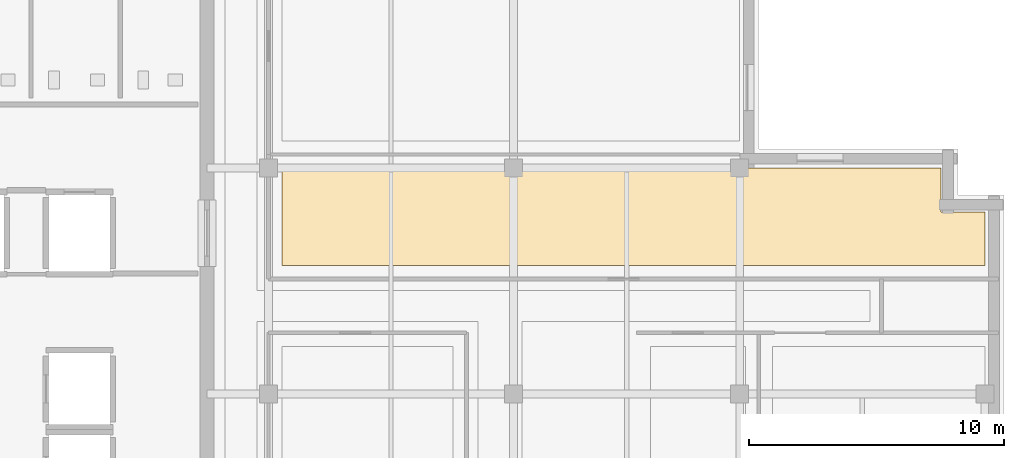
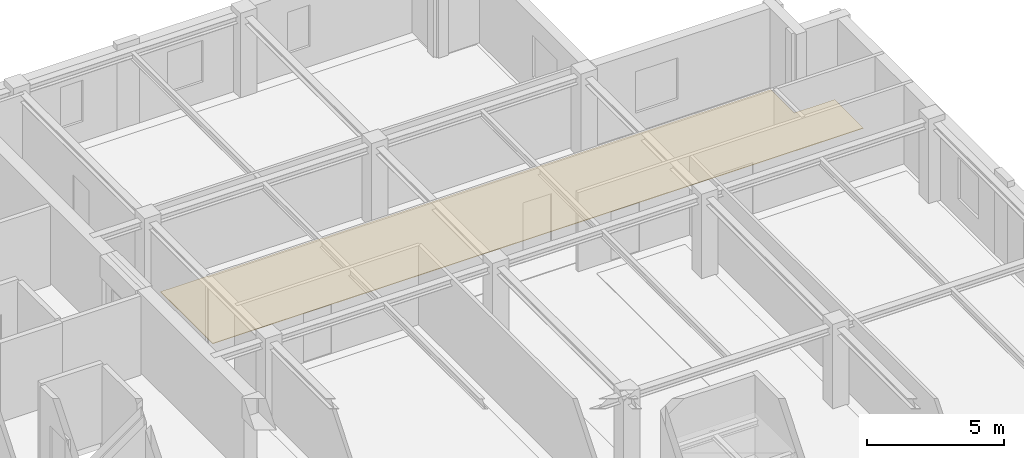
# One storey, part 10 of 11: 1 covering.
"""IFC4 building model written with IfcOpenShell, lengths in metres."""

from ifc_helpers import new_model, si_unit, direction, frame, origin, place, context, subcontext, project, spatial, polyline, outline, extrude, material, layer, layer_set, type_object, element, save


model = new_model("IFC4")

# Units and contexts
model_context = context("Model", 3, precision=1e-05, world=origin(), true_north=direction((0.0, 1.0)))
body_context = subcontext(model_context, "Body", "Model", "MODEL_VIEW")
ifc_project = project(units=[si_unit("LENGTHUNIT", "METRE"), si_unit("AREAUNIT", "SQUARE_METRE"), si_unit("VOLUMEUNIT", "CUBIC_METRE"), si_unit("PLANEANGLEUNIT", "RADIAN"), si_unit("MASSUNIT", "GRAM", prefix="KILO")], contexts=[model_context])

# Site, building, storey
site_placement = place(None, origin())
site = spatial("IfcSite", under=ifc_project, at=site_placement, CompositionType="ELEMENT")
building_placement = place(site_placement, origin())
building = spatial("IfcBuilding", under=site, at=building_placement, Name="Norrvale University Quadrangle", CompositionType="ELEMENT")
storey_placement = place(building_placement, frame((0.0, 0.0, 300.0)))
storey = spatial("IfcBuildingStorey", under=building, at=storey_placement, Name="L76", CompositionType="ELEMENT", Elevation=300.0)

# Covering
ifc_material = material(Name="Polished Terrazzo Flooring")
ifc_layer = layer(ifc_material, 0.02490234375, Name="Polished Terrazzo Flooring")
ifc_layer_set = layer_set([ifc_layer], Name="Polished Terrazzo Flooring")
covering_type = type_object("IfcCoveringType", Name="Covering Terrazzo Floor 30", PredefinedType="FLOORING", material=ifc_layer_set)
covering_placement = place(storey_placement, origin())
element("IfcCovering", 1, at=covering_placement, inside=storey, type_object=covering_type, Name="Terrazzo Flooring RM-L76-ME01", PredefinedType="FLOORING", context=body_context, shape_type="SweptSolid", body=[
    extrude(outline(polyline([(47.25, 33.830078125), (19.72998046875, 33.830078125), (19.72998046875, 37.64990234375), (45.530029296875, 37.64990234375), (45.530029296875, 35.929931640625), (47.25, 35.929931640625), (47.25, 33.830078125)])), origin(), (0.0, 0.0, 1.0), 0.02490234375),
])

save(model, "model.ifc")
